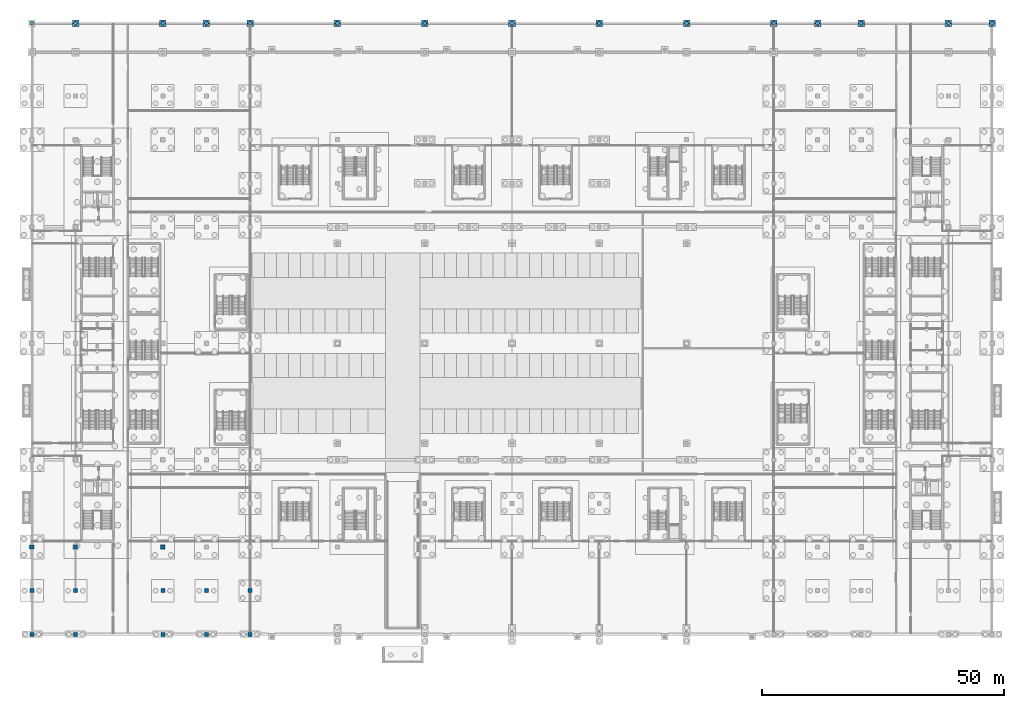
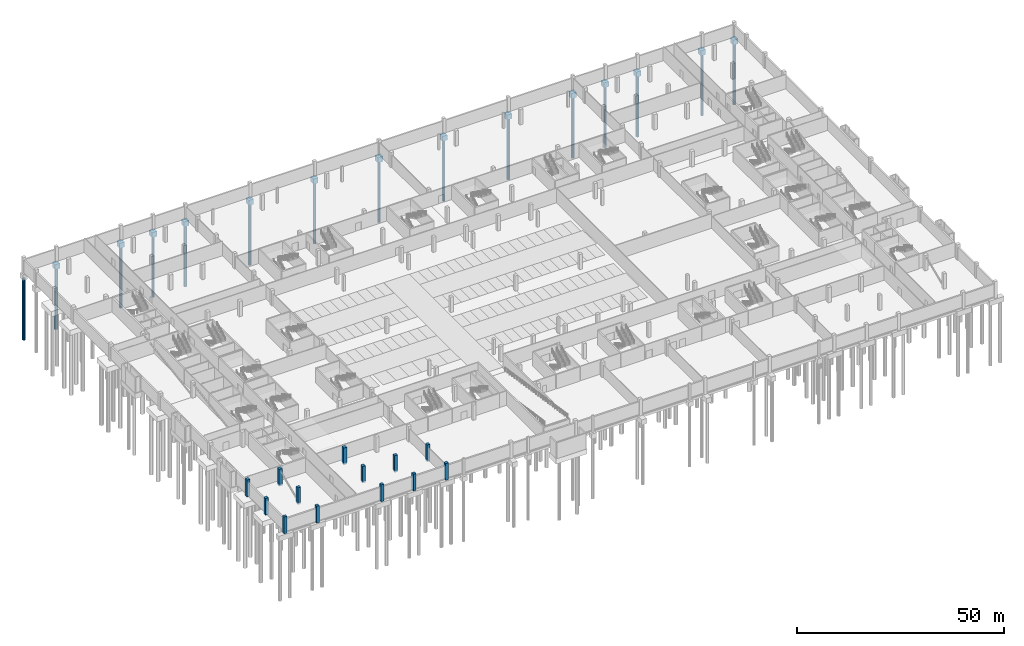
# One storey, part 8 of 46: 15 piles, 14 footings, 13 columns.
"""IFC4 building model written with IfcOpenShell, lengths in metres."""

from ifc_helpers import new_model, si_unit, direction, frame, origin, origin_2d, place, context, subcontext, project, spatial, polyline, rectangle, circle, outline, extrude, material, material_profile, profile_set, type_object, element, save


model = new_model("IFC4")

# Units and contexts
model_context = context("Model", 3, precision=1e-05, world=origin(), true_north=direction((0.0, 1.0)))
body_context = subcontext(model_context, "Body", "Model", "MODEL_VIEW")
ifc_project = project(units=[si_unit("LENGTHUNIT", "METRE"), si_unit("AREAUNIT", "SQUARE_METRE"), si_unit("VOLUMEUNIT", "CUBIC_METRE"), si_unit("PLANEANGLEUNIT", "RADIAN"), si_unit("MASSUNIT", "GRAM", prefix="KILO")], contexts=[model_context])

# Site, building, storey
site_placement = place(None, origin())
site = spatial("IfcSite", under=ifc_project, at=site_placement, CompositionType="ELEMENT")
building_placement = place(site_placement, origin())
building = spatial("IfcBuilding", under=site, at=building_placement, Name="Kisiwana Market Hall", CompositionType="ELEMENT")
storey_placement = place(building_placement, frame((0.0, 0.0, -4.5)))
storey = spatial("IfcBuildingStorey", under=building, at=storey_placement, Name="B1", CompositionType="ELEMENT", Elevation=-4.5)

# Footings
ifc_material_1 = material(Name="Concrete C40/50", Category="concrete")
footing_type = type_object("IfcFootingType", Name="PC-1P-800", PredefinedType="PILE_CAP", material=ifc_material_1)
footing_1_placement = place(storey_placement, frame((0.0, 0.0, -1.949951171875)))
element("IfcFooting", 1, at=footing_1_placement, inside=storey, type_object=footing_type, Name="Pile cap F-016 at R/2", PredefinedType="PILE_CAP", context=body_context, shape_type="SweptSolid", body=[
    extrude(outline(polyline([(8.324951171875, 125.324951171875), (9.675048828125, 125.324951171875), (9.675048828125, 126.675048828125), (8.324951171875, 126.675048828125), (8.324951171875, 125.324951171875)])), origin(), (0.0, 0.0, 1.0), 1.5),
])
footing_2_placement = place(storey_placement, frame((0.0, 0.0, -1.949951171875)))
element("IfcFooting", 2, at=footing_2_placement, inside=storey, type_object=footing_type, Name="Pile cap F-025 at R/4", PredefinedType="PILE_CAP", context=body_context, shape_type="SweptSolid", body=[
    extrude(outline(polyline([(26.324951171875, 125.324951171875), (27.675048828125, 125.324951171875), (27.675048828125, 126.675048828125), (26.324951171875, 126.675048828125), (26.324951171875, 125.324951171875)])), origin(), (0.0, 0.0, 1.0), 1.5),
])
footing_3_placement = place(storey_placement, frame((0.0, 0.0, -1.949951171875)))
element("IfcFooting", 3, at=footing_3_placement, inside=storey, type_object=footing_type, Name="Pile cap F-034 at R/5", PredefinedType="PILE_CAP", context=body_context, shape_type="SweptSolid", body=[
    extrude(outline(polyline([(35.324951171875, 125.324951171875), (36.675048828125, 125.324951171875), (36.675048828125, 126.675048828125), (35.324951171875, 126.675048828125), (35.324951171875, 125.324951171875)])), origin(), (0.0, 0.0, 1.0), 1.5),
])
footing_4_placement = place(storey_placement, frame((0.0, 0.0, -1.949951171875)))
element("IfcFooting", 4, at=footing_4_placement, inside=storey, type_object=footing_type, Name="Pile cap F-046 at R/6", PredefinedType="PILE_CAP", context=body_context, shape_type="SweptSolid", body=[
    extrude(outline(polyline([(44.324951171875, 125.324951171875), (45.675048828125, 125.324951171875), (45.675048828125, 126.675048828125), (44.324951171875, 126.675048828125), (44.324951171875, 125.324951171875)])), origin(), (0.0, 0.0, 1.0), 1.5),
])
footing_5_placement = place(storey_placement, frame((0.0, 0.0, -1.949951171875)))
element("IfcFooting", 5, at=footing_5_placement, inside=storey, type_object=footing_type, Name="Pile cap F-052 at R/8", PredefinedType="PILE_CAP", context=body_context, shape_type="SweptSolid", body=[
    extrude(outline(polyline([(62.324951171875, 125.324951171875), (63.675048828125, 125.324951171875), (63.675048828125, 126.675048828125), (62.324951171875, 126.675048828125), (62.324951171875, 125.324951171875)])), origin(), (0.0, 0.0, 1.0), 1.5),
])
footing_6_placement = place(storey_placement, frame((0.0, 0.0, -1.949951171875)))
element("IfcFooting", 6, at=footing_6_placement, inside=storey, type_object=footing_type, Name="Pile cap F-062 at R/10", PredefinedType="PILE_CAP", context=body_context, shape_type="SweptSolid", body=[
    extrude(outline(polyline([(80.324951171875, 125.324951171875), (81.675048828125, 125.324951171875), (81.675048828125, 126.675048828125), (80.324951171875, 126.675048828125), (80.324951171875, 125.324951171875)])), origin(), (0.0, 0.0, 1.0), 1.5),
])
footing_7_placement = place(storey_placement, frame((0.0, 0.0, -1.949951171875)))
element("IfcFooting", 7, at=footing_7_placement, inside=storey, type_object=footing_type, Name="Pile cap F-074 at R/12", PredefinedType="PILE_CAP", context=body_context, shape_type="SweptSolid", body=[
    extrude(outline(polyline([(98.324951171875, 125.324951171875), (99.675048828125, 125.324951171875), (99.675048828125, 126.675048828125), (98.324951171875, 126.675048828125), (98.324951171875, 125.324951171875)])), origin(), (0.0, 0.0, 1.0), 1.5),
])
footing_8_placement = place(storey_placement, frame((0.0, 0.0, -1.949951171875)))
element("IfcFooting", 8, at=footing_8_placement, inside=storey, type_object=footing_type, Name="Pile cap F-086 at R/14", PredefinedType="PILE_CAP", context=body_context, shape_type="SweptSolid", body=[
    extrude(outline(polyline([(116.324951171875, 125.324951171875), (117.675048828125, 125.324951171875), (117.675048828125, 126.675048828125), (116.324951171875, 126.675048828125), (116.324951171875, 125.324951171875)])), origin(), (0.0, 0.0, 1.0), 1.5),
])
footing_9_placement = place(storey_placement, frame((0.0, 0.0, -1.949951171875)))
element("IfcFooting", 9, at=footing_9_placement, inside=storey, type_object=footing_type, Name="Pile cap F-092 at R/16", PredefinedType="PILE_CAP", context=body_context, shape_type="SweptSolid", body=[
    extrude(outline(polyline([(134.324951171875, 125.324951171875), (135.675048828125, 125.324951171875), (135.675048828125, 126.675048828125), (134.324951171875, 126.675048828125), (134.324951171875, 125.324951171875)])), origin(), (0.0, 0.0, 1.0), 1.5),
])
footing_10_placement = place(storey_placement, frame((0.0, 0.0, -1.949951171875)))
element("IfcFooting", 10, at=footing_10_placement, inside=storey, type_object=footing_type, Name="Pile cap F-104 at R/18", PredefinedType="PILE_CAP", context=body_context, shape_type="SweptSolid", body=[
    extrude(outline(polyline([(152.324951171875, 125.324951171875), (153.675048828125, 125.324951171875), (153.675048828125, 126.675048828125), (152.324951171875, 126.675048828125), (152.324951171875, 125.324951171875)])), origin(), (0.0, 0.0, 1.0), 1.5),
])
footing_11_placement = place(storey_placement, frame((0.0, 0.0, -1.949951171875)))
element("IfcFooting", 11, at=footing_11_placement, inside=storey, type_object=footing_type, Name="Pile cap F-113 at R/19", PredefinedType="PILE_CAP", context=body_context, shape_type="SweptSolid", body=[
    extrude(outline(polyline([(161.324951171875, 125.324951171875), (162.675048828125, 125.324951171875), (162.675048828125, 126.675048828125), (161.324951171875, 126.675048828125), (161.324951171875, 125.324951171875)])), origin(), (0.0, 0.0, 1.0), 1.5),
])
footing_12_placement = place(storey_placement, frame((0.0, 0.0, -1.949951171875)))
element("IfcFooting", 12, at=footing_12_placement, inside=storey, type_object=footing_type, Name="Pile cap F-122 at R/20", PredefinedType="PILE_CAP", context=body_context, shape_type="SweptSolid", body=[
    extrude(outline(polyline([(170.324951171875, 125.324951171875), (171.675048828125, 125.324951171875), (171.675048828125, 126.675048828125), (170.324951171875, 126.675048828125), (170.324951171875, 125.324951171875)])), origin(), (0.0, 0.0, 1.0), 1.5),
])
footing_13_placement = place(storey_placement, frame((0.0, 0.0, -1.949951171875)))
element("IfcFooting", 13, at=footing_13_placement, inside=storey, type_object=footing_type, Name="Pile cap F-127 at R/22", PredefinedType="PILE_CAP", context=body_context, shape_type="SweptSolid", body=[
    extrude(outline(polyline([(188.324951171875, 125.324951171875), (189.675048828125, 125.324951171875), (189.675048828125, 126.675048828125), (188.324951171875, 126.675048828125), (188.324951171875, 125.324951171875)])), origin(), (0.0, 0.0, 1.0), 1.5),
])
footing_14_placement = place(storey_placement, frame((0.0, 0.0, -1.949951171875)))
element("IfcFooting", 14, at=footing_14_placement, inside=storey, type_object=footing_type, Name="Pile cap F-137 at R/23", PredefinedType="PILE_CAP", context=body_context, shape_type="SweptSolid", body=[
    extrude(outline(polyline([(197.324951171875, 125.324951171875), (198.675048828125, 125.324951171875), (198.675048828125, 126.675048828125), (197.324951171875, 126.675048828125), (197.324951171875, 125.324951171875)])), origin(), (0.0, 0.0, 1.0), 1.5),
])

# Piles
ifc_material_2 = material(Name="Concrete C40/50", Category="concrete")
ifc_material_profile_1 = material_profile(ifc_material_2, circle(Radius=0.39990234375, at=origin_2d()), Name="BP D800")
ifc_profile_set_1 = profile_set([ifc_material_profile_1], Name="Concrete C40/50")
pile_type = type_object("IfcPileType", Name="PILE-D800", PredefinedType="BORED", material=ifc_profile_set_1)
for number, where, z_axis, x_axis, name in (
    (15, (0.0, 126.0, -1.85009765625), (0.0, 0.0, -1.0), (1.0, 0.0, 0.0), "Bored pile P-126"),
    (16, (9.0, 126.0, -1.85009765625), (0.0, 0.0, -1.0), (1.0, 0.0, 0.0), "Bored pile P-134"),
    (17, (27.0, 126.0, -1.85009765625), (0.0, 0.0, -1.0), (1.0, 0.0, 0.0), "Bored pile P-160"),
    (18, (36.0, 126.0, -1.85009765625), (0.0, 0.0, -1.0), (1.0, 0.0, 0.0), "Bored pile P-186"),
    (19, (45.0, 126.0, -1.85009765625), (0.0, 0.0, -1.0), (1.0, 0.0, 0.0), "Bored pile P-226"),
    (20, (63.0, 126.0, -1.85009765625), (0.0, 0.0, -1.0), (1.0, 0.0, 0.0), "Bored pile P-235"),
    (21, (81.0, 126.0, -1.85009765625), (0.0, 0.0, -1.0), (1.0, 0.0, 0.0), "Bored pile P-256"),
    (22, (99.0, 126.0, -1.85009765625), (0.0, 0.0, -1.0), (1.0, 0.0, 0.0), "Bored pile P-281"),
    (23, (117.0, 126.0, -1.85009765625), (0.0, 0.0, -1.0), (1.0, 0.0, 0.0), "Bored pile P-306"),
    (24, (135.0, 126.0, -1.85009765625), (0.0, 0.0, -1.0), (1.0, 0.0, 0.0), "Bored pile P-315"),
    (25, (153.0, 126.0, -1.85009765625), (0.0, 0.0, -1.0), (1.0, 0.0, 0.0), "Bored pile P-355"),
    (26, (162.0, 126.0, -1.85009765625), (0.0, 0.0, -1.0), (1.0, 0.0, 0.0), "Bored pile P-381"),
    (27, (171.0, 126.0, -1.85009765625), (0.0, 0.0, -1.0), (1.0, 0.0, 0.0), "Bored pile P-407"),
    (28, (189.0, 126.0, -1.85009765625), (0.0, 0.0, -1.0), (1.0, 0.0, 0.0), "Bored pile P-415"),
    (29, (198.0, 126.0, -1.85009765625), (0.0, 0.0, -1.0), (1.0, 0.0, 0.0), "Bored pile P-445"),
):
    element("IfcPile", number, at=place(storey_placement, frame(where, z_axis=z_axis, x_axis=x_axis)), inside=storey, type_object=pile_type, Name=name, PredefinedType="BORED", context=body_context, shape_type="SweptSolid", body=[
        extrude(circle(Radius=0.39990234375, at=origin_2d()), origin(), (0.0, 0.0, 1.0), 18.10009765625),
    ])

# Columns
ifc_material_3 = material(Name="Concrete C40/50", Category="concrete")
ifc_material_profile_2 = material_profile(ifc_material_3, rectangle(XDim=0.800048828125, YDim=0.800048828125, at=origin_2d()), Name="RC 800x800")
ifc_profile_set_2 = profile_set([ifc_material_profile_2], Name="Concrete C40/50")
column_type_1 = type_object("IfcColumnType", Name="COL-RC-B1-800", PredefinedType="COLUMN", material=ifc_profile_set_2)
for number, where, z_axis, x_axis, name in (
    (30, (0.0, 0.0, -0.449951171875), (0.0, 0.0, 1.0), (1.0, 0.0, 0.0), "Column A/1 (B1) C-0001"),
    (31, (0.0, 9.0, -0.449951171875), (0.0, 0.0, 1.0), (1.0, 0.0, 0.0), "Column B/1 (B1) C-0002"),
    (32, (9.0, 0.0, -0.449951171875), (0.0, 0.0, 1.0), (1.0, 0.0, 0.0), "Column A/2 (B1) C-0011"),
    (33, (9.0, 9.0, -0.449951171875), (0.0, 0.0, 1.0), (1.0, 0.0, 0.0), "Column B/2 (B1) C-0012"),
    (34, (27.0, 0.0, -0.449951171875), (0.0, 0.0, 1.0), (1.0, 0.0, 0.0), "Column A/4 (B1) C-0020"),
    (35, (27.0, 9.0, -0.449951171875), (0.0, 0.0, 1.0), (1.0, 0.0, 0.0), "Column B/4 (B1) C-0021"),
    (36, (36.0, 0.0, -0.449951171875), (0.0, 0.0, 1.0), (1.0, 0.0, 0.0), "Column A/5 (B1) C-0030"),
    (37, (36.0, 9.0, -0.449951171875), (0.0, 0.0, 1.0), (1.0, 0.0, 0.0), "Column B/5 (B1) C-0031"),
    (38, (45.0, 0.0, -0.449951171875), (0.0, 0.0, 1.0), (1.0, 0.0, 0.0), "Column A/6 (B1) C-0039"),
    (39, (45.0, 9.0, -0.449951171875), (0.0, 0.0, 1.0), (1.0, 0.0, 0.0), "Column B/6 (B1) C-0040"),
):
    element("IfcColumn", number, at=place(storey_placement, frame(where, z_axis=z_axis, x_axis=x_axis)), inside=storey, type_object=column_type_1, Name=name, PredefinedType="COLUMN", context=body_context, shape_type="SweptSolid", body=[
        extrude(rectangle(XDim=0.800048828125, YDim=0.800048828125, at=origin_2d()), origin(), (0.0, 0.0, 1.0), 4.949951171875),
    ])
ifc_material_4 = material(Name="Concrete C40/50", Category="concrete")
ifc_material_profile_3 = material_profile(ifc_material_4, rectangle(XDim=0.89990234375, YDim=0.89990234375, at=origin_2d()), Name="RC 900x900")
ifc_profile_set_3 = profile_set([ifc_material_profile_3], Name="Concrete C40/50")
column_type_2 = type_object("IfcColumnType", Name="COL-RC-B1-900", PredefinedType="COLUMN", material=ifc_profile_set_3)
for number, where, z_axis, x_axis, name in (
    (40, (0.0, 18.0, -0.449951171875), (0.0, 0.0, 1.0), (1.0, 0.0, 0.0), "Column C/1 (B1) C-0003"),
    (41, (9.0, 18.0, -0.449951171875), (0.0, 0.0, 1.0), (1.0, 0.0, 0.0), "Column C/2 (B1) C-0013"),
    (42, (27.0, 18.0, -0.449951171875), (0.0, 0.0, 1.0), (1.0, 0.0, 0.0), "Column C/4 (B1) C-0022"),
):
    element("IfcColumn", number, at=place(storey_placement, frame(where, z_axis=z_axis, x_axis=x_axis)), inside=storey, type_object=column_type_2, Name=name, PredefinedType="COLUMN", context=body_context, shape_type="SweptSolid", body=[
        extrude(rectangle(XDim=0.89990234375, YDim=0.89990234375, at=origin_2d()), origin(), (0.0, 0.0, 1.0), 4.949951171875),
    ])

save(model, "model.ifc")
